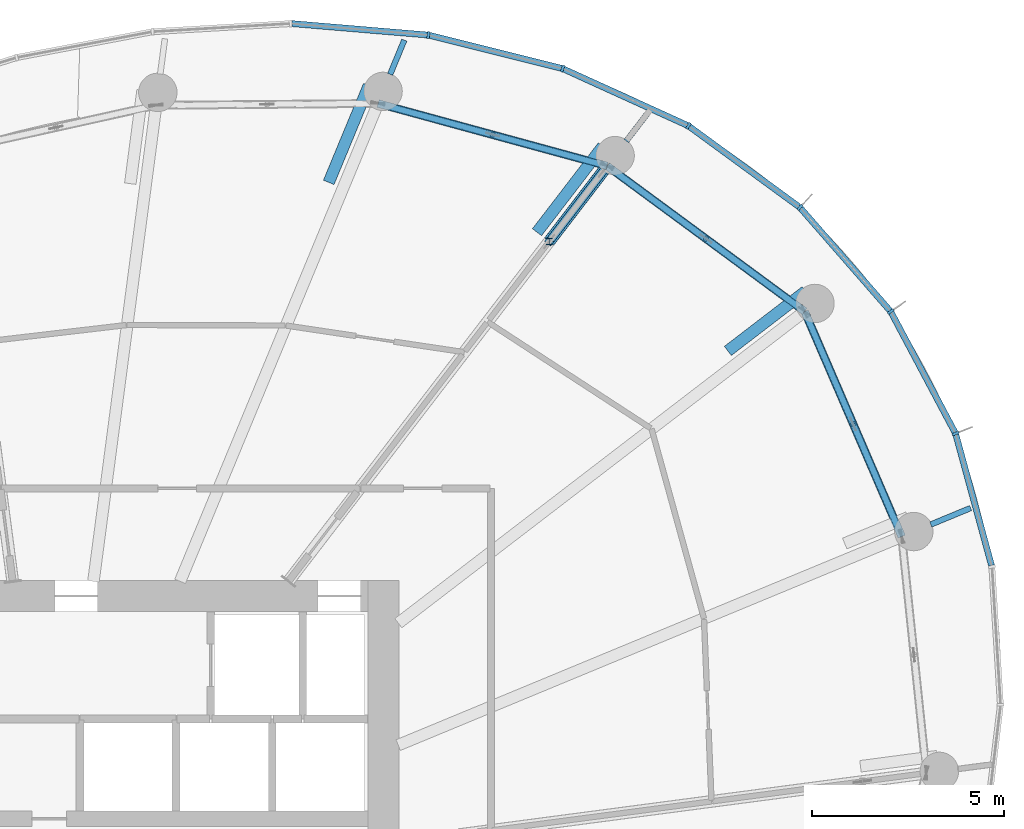
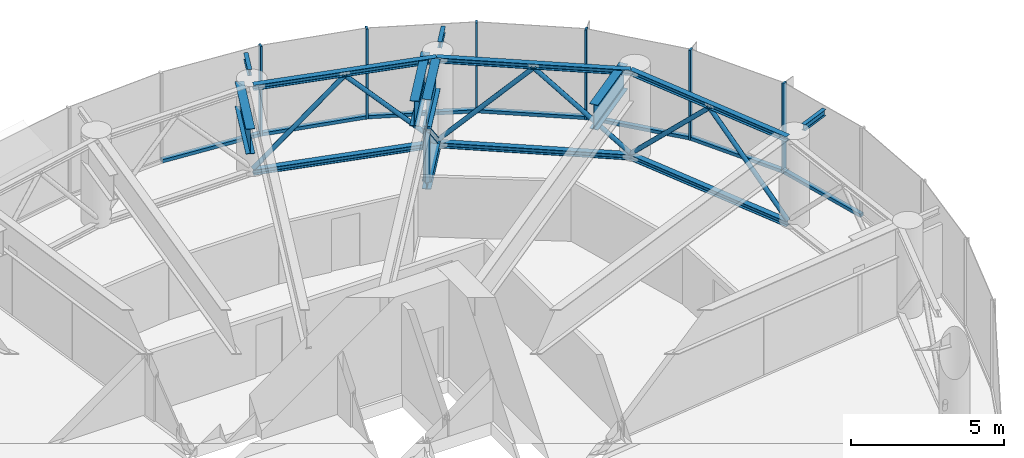
# One storey, part 10 of 25: 28 members, 7 beams, 2 elements without a shape of their own.
"""IFC4 building model written with IfcOpenShell, lengths in metres."""

from ifc_helpers import new_model, si_unit, direction, frame, origin, origin_2d, place, context, subcontext, project, spatial, rectangle, hollow_circle, i_section, extrude, source, transform, mapped, material, layer, layer_set, material_profile, profile_set, type_object, element, aggregate, save


model = new_model("IFC4")

# Units and contexts
model_context = context("Model", 3, precision=1e-05, world=origin(), true_north=direction((0.0, 1.0)))
body_context = subcontext(model_context, "Body", "Model", "MODEL_VIEW")
ifc_project = project(units=[si_unit("LENGTHUNIT", "METRE"), si_unit("AREAUNIT", "SQUARE_METRE"), si_unit("VOLUMEUNIT", "CUBIC_METRE"), si_unit("PLANEANGLEUNIT", "RADIAN"), si_unit("MASSUNIT", "GRAM", prefix="KILO")], contexts=[model_context])

# Site, building, storey
site_placement = place(None, origin())
site = spatial("IfcSite", under=ifc_project, at=site_placement, CompositionType="ELEMENT")
building_placement = place(site_placement, origin())
building = spatial("IfcBuilding", under=site, at=building_placement, Name="Spindrift Exchange Tower", CompositionType="ELEMENT")
storey_placement = place(building_placement, frame((0.0, 0.0, 179.89990234375)))
storey = spatial("IfcBuildingStorey", under=building, at=storey_placement, Name="L43", CompositionType="ELEMENT", Elevation=179.89990234375)

# Beams
ifc_material_1 = material(Name="Steel Grade 300", Category="steel")
ifc_material_profile_1 = material_profile(ifc_material_1, i_section(OverallWidth=0.14599609375, OverallDepth=0.251953125, WebThickness=0.006103515625, FlangeThickness=0.008544921875, FilletRadius=0.011962890625, at=origin_2d()), Name="250UB31.4")
ifc_profile_set_1 = profile_set([ifc_material_profile_1], Name="Steel Grade 300")
beam_type_1 = type_object("IfcBeamType", Name="Cantilever Beam 250UB31.4 Steel Grade 300", PredefinedType="BEAM", material=ifc_profile_set_1)
shared_shape_1 = source(origin(), body_context, "Body", "SweptSolid", [
    extrude(i_section(OverallWidth=0.14599609375, OverallDepth=0.251953125, WebThickness=0.006103515625, FlangeThickness=0.008544921875, FilletRadius=0.011962890625, at=origin_2d()), origin(), (0.0, 0.0, 1.0), 0.964111328125),
])
beam_1_placement = place(storey_placement, frame((60.770751953125, 69.17431640625, 3.4541015625), z_axis=(0.382672391391, 0.923884105755, 0.0), x_axis=(-0.923884105755, 0.382672391391, 0.0)))
element("IfcBeam", 1, at=beam_1_placement, inside=storey, type_object=beam_type_1, Name="L43 cantilever beam R05T", PredefinedType="BEAM", context=body_context, shape_type="MappedRepresentation", body=[
    mapped(shared_shape_1, transform((0.0, 0.0, 0.0), scale=1.0)),
])
shared_shape_2 = source(origin(), body_context, "Body", "SweptSolid", [
    extrude(i_section(OverallWidth=0.14599609375, OverallDepth=0.251953125, WebThickness=0.006103515625, FlangeThickness=0.008544921875, FilletRadius=0.011962890625, at=origin_2d()), origin(), (0.0, 0.0, 1.0), 1.1201171875),
])
beam_2_placement = place(storey_placement, frame((74.840087890625, 57.460693359375, 3.4541015625), z_axis=(0.923868073298, 0.382711096181, 0.0), x_axis=(-0.382711096181, 0.923868073298, 0.0)))
element("IfcBeam", 2, at=beam_2_placement, inside=storey, type_object=beam_type_1, Name="L43 cantilever beam R02T", PredefinedType="BEAM", context=body_context, shape_type="MappedRepresentation", body=[
    mapped(shared_shape_2, transform((0.0, 0.0, 0.0), scale=1.0)),
])
shared_shape_3 = source(origin(), body_context, "Body", "SweptSolid", [
    extrude(i_section(OverallWidth=0.14599609375, OverallDepth=0.251953125, WebThickness=0.006103515625, FlangeThickness=0.008544921875, FilletRadius=0.011962890625, at=origin_2d()), origin(), (0.0, 0.0, 1.0), 0.89990234375),
])
beam_3_placement = place(storey_placement, frame((66.9169921875, 67.440185546875, 3.4541015625), z_axis=(0.608818785139, 0.79330932609, 0.0), x_axis=(-0.79330932609, 0.608818785139, 0.0)))
element("IfcBeam", 3, at=beam_3_placement, inside=storey, type_object=beam_type_1, Name="L43 cantilever beam R04T", PredefinedType="BEAM", context=body_context, shape_type="MappedRepresentation", body=[
    mapped(shared_shape_3, transform((0.0, 0.0, 0.0), scale=1.0)),
])
ifc_material_profile_2 = material_profile(ifc_material_1, i_section(OverallWidth=0.300048828125, OverallDepth=1.199951171875, WebThickness=0.011962890625, FlangeThickness=0.028076171875, at=origin_2d()), Name="1200WB249")
ifc_profile_set_2 = profile_set([ifc_material_profile_2], Name="Steel Grade 300")
beam_type_2 = type_object("IfcBeamType", Name="Outrigger Truss Transfer Girder 1200WB249 Steel Grade 300", PredefinedType="BEAM", material=ifc_profile_set_2)
shared_shape_4 = source(origin(), body_context, "Body", "SweptSolid", [
    extrude(i_section(OverallWidth=0.300048828125, OverallDepth=1.199951171875, WebThickness=0.011962890625, FlangeThickness=0.028076171875, at=origin_2d()), origin(), (0.0, 0.0, 1.0), 2.339111328125),
])
beam_4_placement = place(storey_placement, frame((64.90869140625, 64.822998046875, 2.97998046875), z_axis=(0.608797399117, 0.793325738161, 0.0), x_axis=(-0.793325738161, 0.608797399117, 0.0)))
element("IfcBeam", 4, at=beam_4_placement, inside=storey, type_object=beam_type_2, Name="L43 outrigger truss 04 top chord 2", PredefinedType="BEAM", context=body_context, shape_type="MappedRepresentation", body=[
    mapped(shared_shape_4, transform((0.0, 0.0, 0.0), scale=1.0)),
])

# Members
ifc_material_profile_3 = material_profile(ifc_material_1, i_section(OverallWidth=0.306884765625, OverallDepth=0.31396484375, WebThickness=0.011962890625, FlangeThickness=0.018798828125, FilletRadius=0.0166015625, at=origin_2d()), Name="310UC118")
ifc_profile_set_3 = profile_set([ifc_material_profile_3], Name="Steel Grade 300")
member_type_1 = type_object("IfcMemberType", Name="Outrigger Truss Chord 310UC118 Steel Grade 300", PredefinedType="CHORD", material=ifc_profile_set_3)
shared_shape_5 = source(origin(), body_context, "Body", "SweptSolid", [
    extrude(i_section(OverallWidth=0.306884765625, OverallDepth=0.31396484375, WebThickness=0.011962890625, FlangeThickness=0.018798828125, FilletRadius=0.0166015625, at=origin_2d()), origin(), (0.0, 0.0, 1.0), 2.339111328125),
])
member_1_placement = place(storey_placement, frame((64.90869140625, 64.822998046875, 0.156982421875), z_axis=(0.608797399117, 0.793325738161, 0.0), x_axis=(-0.793325738161, 0.608797399117, 0.0)))
element("IfcMember", 5, at=member_1_placement, inside=storey, type_object=member_type_1, Name="L43 outrigger truss 04 bottom chord 2", PredefinedType="CHORD", context=body_context, shape_type="MappedRepresentation", body=[
    mapped(shared_shape_5, transform((0.0, 0.0, 0.0), scale=1.0)),
])
ifc_material_profile_4 = material_profile(ifc_material_1, i_section(OverallWidth=0.205078125, OverallDepth=0.2099609375, WebThickness=0.00927734375, FlangeThickness=0.01416015625, FilletRadius=0.012939453125, at=origin_2d()), Name="200UC59.5")
ifc_profile_set_4 = profile_set([ifc_material_profile_4], Name="Steel Grade 300")
member_type_2 = type_object("IfcMemberType", Name="Outrigger Truss Diagonal 200UC59.5 Steel Grade 300", PredefinedType="BRACE", material=ifc_profile_set_4)
shared_shape_6 = source(origin(), body_context, "Body", "SweptSolid", [
    extrude(i_section(OverallWidth=0.205078125, OverallDepth=0.2099609375, WebThickness=0.00927734375, FlangeThickness=0.01416015625, FilletRadius=0.012939453125, at=origin_2d()), origin(), (0.0, 0.0, 1.0), 3.120849609375),
])
member_2_placement = place(storey_placement, frame((64.90869140625, 64.822998046875, 2.380126953125), z_axis=(0.456309935525, 0.594618861637, -0.661974056989), x_axis=(-0.793325738161, 0.608797399117, 0.0)))
element("IfcMember", 6, at=member_2_placement, inside=storey, type_object=member_type_2, Name="L43 outrigger truss 04 diagonal 2", PredefinedType="BRACE", context=body_context, shape_type="MappedRepresentation", body=[
    mapped(shared_shape_6, transform((0.0, 0.0, 0.0), scale=1.0)),
])
ifc_material_profile_5 = material_profile(ifc_material_1, i_section(OverallWidth=0.154052734375, OverallDepth=0.162109375, WebThickness=0.008056640625, FlangeThickness=0.011474609375, FilletRadius=0.008056640625, at=origin_2d()), Name="150UC37.2")
ifc_profile_set_5 = profile_set([ifc_material_profile_5], Name="Steel Grade 300")
member_type_3 = type_object("IfcMemberType", Name="Outrigger Truss Post 150UC37.2 Steel Grade 300", PredefinedType="POST", material=ifc_profile_set_5)
shared_shape_7 = source(origin(), body_context, "Body", "SweptSolid", [
    extrude(i_section(OverallWidth=0.154052734375, OverallDepth=0.162109375, WebThickness=0.008056640625, FlangeThickness=0.011474609375, FilletRadius=0.008056640625, at=origin_2d()), origin(), (0.0, 0.0, 1.0), 2.06591796875),
])
member_3_placement = place(storey_placement, frame((64.90869140625, 64.822998046875, 0.314208984375), z_axis=(0.0, 0.0, 1.0), x_axis=(1.0, 0.0, 0.0)))
element("IfcMember", 7, at=member_3_placement, inside=storey, type_object=member_type_3, Name="L43 outrigger truss 04 post 1", PredefinedType="POST", context=body_context, shape_type="MappedRepresentation", body=[
    mapped(shared_shape_7, transform((0.0, 0.0, 0.0), scale=1.0)),
])
ifc_material_profile_6 = material_profile(ifc_material_1, i_section(OverallWidth=0.205078125, OverallDepth=0.2099609375, WebThickness=0.00927734375, FlangeThickness=0.01416015625, FilletRadius=0.012939453125, at=origin_2d()), Name="200UC59.5")
ifc_profile_set_6 = profile_set([ifc_material_profile_6], Name="Steel Grade 300")
member_type_4 = type_object("IfcMemberType", Name="Belt Truss Chord 200UC59.5 Steel Grade 300", PredefinedType="CHORD", material=ifc_profile_set_6)
shared_shape_8 = source(origin(), body_context, "Body", "SweptSolid", [
    extrude(i_section(OverallWidth=0.205078125, OverallDepth=0.2099609375, WebThickness=0.00927734375, FlangeThickness=0.01416015625, FilletRadius=0.012939453125, at=origin_2d()), origin(), (0.0, 0.0, 1.0), 6.38037109375),
])
for number, where, z_axis, x_axis, name in (
    (8, (74.08251953125, 57.14697265625, 3.47509765625), (-0.395959532566, 0.918267961202, 0.0), (-0.918267961202, -0.395959532566, 0.0), "L43 belt truss 02 top chord"),
    (9, (74.08251953125, 57.14697265625, 0.10498046875), (-0.395959532566, 0.918267961202, 0.0), (-0.918267961202, -0.395959532566, 0.0), "L43 belt truss 02 bottom chord"),
):
    element("IfcMember", number, at=place(storey_placement, frame(where, z_axis=z_axis, x_axis=x_axis)), inside=storey, type_object=member_type_4, Name=name, PredefinedType="CHORD", context=body_context, shape_type="MappedRepresentation", body=[
        mapped(shared_shape_8, transform((0.0, 0.0, 0.0), scale=1.0)),
    ])
ifc_material_2 = material(Name="Steel Grade 350", Category="steel")
ifc_material_profile_7 = material_profile(ifc_material_2, hollow_circle(Radius=0.084228515625, WallThickness=0.007080078125, at=origin_2d()), Name="168.3x7.1CHS")
ifc_profile_set_7 = profile_set([ifc_material_profile_7], Name="Steel Grade 350")
member_type_5 = type_object("IfcMemberType", Name="Belt Truss Diagonal 168.3x7.1CHS Steel Grade 350", PredefinedType="BRACE", material=ifc_profile_set_7)
shared_shape_9 = source(origin(), body_context, "Body", "SweptSolid", [
    extrude(hollow_circle(Radius=0.084228515625, WallThickness=0.007080078125, at=origin_2d()), origin(), (0.0, 0.0, 1.0), 4.490234375),
])
for number, where, z_axis, x_axis, name in (
    (10, (74.08251953125, 57.14697265625, 0.210205078125), (-0.281317190071, 0.652401423205, 0.703727945708), (-0.918267961202, -0.395959532566, 0.0), "L43 belt truss 02 diagonal 1"),
    (11, (72.8193359375, 60.076416015625, 3.3701171875), (-0.281317190071, 0.652401423205, -0.703727945708), (-0.918267961202, -0.395959532566, 0.0), "L43 belt truss 02 diagonal 2"),
):
    element("IfcMember", number, at=place(storey_placement, frame(where, z_axis=z_axis, x_axis=x_axis)), inside=storey, type_object=member_type_5, Name=name, PredefinedType="BRACE", context=body_context, shape_type="MappedRepresentation", body=[
        mapped(shared_shape_9, transform((0.0, 0.0, 0.0), scale=1.0)),
    ])
shared_shape_10 = source(origin(), body_context, "Body", "SweptSolid", [
    extrude(i_section(OverallWidth=0.205078125, OverallDepth=0.2099609375, WebThickness=0.00927734375, FlangeThickness=0.01416015625, FilletRadius=0.012939453125, at=origin_2d()), origin(), (0.0, 0.0, 1.0), 6.381103515625),
])
for number, where, z_axis, x_axis, name in (
    (12, (71.55615234375, 63.005859375, 3.47509765625), (-0.805212557034, 0.592986288201, 0.0), (-0.592986288201, -0.805212557034, 0.0), "L43 belt truss 03 top chord"),
    (13, (71.55615234375, 63.005859375, 0.10498046875), (-0.805212557034, 0.592986288201, 0.0), (-0.592986288201, -0.805212557034, 0.0), "L43 belt truss 03 bottom chord"),
):
    element("IfcMember", number, at=place(storey_placement, frame(where, z_axis=z_axis, x_axis=x_axis)), inside=storey, type_object=member_type_4, Name=name, PredefinedType="CHORD", context=body_context, shape_type="MappedRepresentation", body=[
        mapped(shared_shape_10, transform((0.0, 0.0, 0.0), scale=1.0)),
    ])
shared_shape_11 = source(origin(), body_context, "Body", "SweptSolid", [
    extrude(hollow_circle(Radius=0.084228515625, WallThickness=0.007080078125, at=origin_2d()), origin(), (0.0, 0.0, 1.0), 4.490478515625),
])
for number, where, z_axis, x_axis, name in (
    (14, (71.55615234375, 63.005859375, 0.210205078125), (-0.572120394731, 0.421301999313, 0.703692318636), (-0.592961481053, -0.805230825284, 0.0), "L43 belt truss 03 diagonal 1"),
    (15, (68.987060546875, 64.897705078125, 3.3701171875), (-0.572107289584, 0.421346716172, -0.703676199666), (-0.59301109366, -0.80519428885, 0.0), "L43 belt truss 03 diagonal 2"),
):
    element("IfcMember", number, at=place(storey_placement, frame(where, z_axis=z_axis, x_axis=x_axis)), inside=storey, type_object=member_type_5, Name=name, PredefinedType="BRACE", context=body_context, shape_type="MappedRepresentation", body=[
        mapped(shared_shape_11, transform((0.0, 0.0, 0.0), scale=1.0)),
    ])
shared_shape_12 = source(origin(), body_context, "Body", "SweptSolid", [
    extrude(i_section(OverallWidth=0.205078125, OverallDepth=0.2099609375, WebThickness=0.00927734375, FlangeThickness=0.01416015625, FilletRadius=0.012939453125, at=origin_2d()), origin(), (0.0, 0.0, 1.0), 6.17919921875),
])
for number, where, z_axis, x_axis, name in (
    (16, (66.41796875, 66.789794921875, 3.47509765625), (-0.964715481207, 0.263294588474, 0.0), (-0.263294588474, -0.964715481207, 0.0), "L43 belt truss 04 top chord"),
    (17, (66.41796875, 66.789794921875, 0.10498046875), (-0.964715481207, 0.263294588474, 0.0), (-0.263294588474, -0.964715481207, 0.0), "L43 belt truss 04 bottom chord"),
):
    element("IfcMember", number, at=place(storey_placement, frame(where, z_axis=z_axis, x_axis=x_axis)), inside=storey, type_object=member_type_4, Name=name, PredefinedType="CHORD", context=body_context, shape_type="MappedRepresentation", body=[
        mapped(shared_shape_12, transform((0.0, 0.0, 0.0), scale=1.0)),
    ])
shared_shape_13 = source(origin(), body_context, "Body", "SweptSolid", [
    extrude(hollow_circle(Radius=0.084228515625, WallThickness=0.007080078125, at=origin_2d()), origin(), (0.0, 0.0, 1.0), 4.419189453125),
])
member_4_placement = place(storey_placement, frame((66.41796875, 66.789794921875, 0.210205078125), z_axis=(-0.67442497447, 0.184074706335, 0.715029689103), x_axis=(-0.263304624553, -0.964712742058, 0.0)))
element("IfcMember", 18, at=member_4_placement, inside=storey, type_object=member_type_5, Name="L43 belt truss 04 diagonal 1", PredefinedType="BRACE", context=body_context, shape_type="MappedRepresentation", body=[
    mapped(shared_shape_13, transform((0.0, 0.0, 0.0), scale=1.0)),
])
shared_shape_14 = source(origin(), body_context, "Body", "SweptSolid", [
    extrude(hollow_circle(Radius=0.084228515625, WallThickness=0.007080078125, at=origin_2d()), origin(), (0.0, 0.0, 1.0), 4.41943359375),
])
member_5_placement = place(storey_placement, frame((63.4375, 67.603271484375, 3.3701171875), z_axis=(-0.674455089384, 0.184067848131, -0.715003048726), x_axis=(-0.263284553131, -0.964718220043, 0.0)))
element("IfcMember", 19, at=member_5_placement, inside=storey, type_object=member_type_5, Name="L43 belt truss 04 diagonal 2", PredefinedType="BRACE", context=body_context, shape_type="MappedRepresentation", body=[
    mapped(shared_shape_14, transform((0.0, 0.0, 0.0), scale=1.0)),
])

# Beams
ifc_material_profile_8 = material_profile(ifc_material_1, i_section(OverallWidth=0.300048828125, OverallDepth=1.0, WebThickness=0.010009765625, FlangeThickness=0.02001953125, at=origin_2d()), Name="1000WB215")
ifc_profile_set_8 = profile_set([ifc_material_profile_8], Name="Steel Grade 300")
beam_type_3 = type_object("IfcBeamType", Name="Transfer Tie Beam 1000WB215 Steel Grade 300", PredefinedType="BEAM", material=ifc_profile_set_8)
shared_shape_15 = source(origin(), body_context, "Body", "SweptSolid", [
    extrude(i_section(OverallWidth=0.300048828125, OverallDepth=1.0, WebThickness=0.010009765625, FlangeThickness=0.02001953125, at=origin_2d()), origin(), (0.0, 0.0, 1.0), 2.551025390625),
])
beam_5_placement = place(storey_placement, frame((71.58251953125, 63.5302734375, 2.97998046875), z_axis=(-0.793359844795, -0.60875295208, 0.0), x_axis=(0.60875295208, -0.793359844795, 0.0)))
element("IfcBeam", 20, at=beam_5_placement, inside=storey, type_object=beam_type_3, Name="L43 transfer tie beam K03", PredefinedType="BEAM", context=body_context, shape_type="MappedRepresentation", body=[
    mapped(shared_shape_15, transform((0.0, 0.0, 0.0), scale=1.0)),
])
shared_shape_16 = source(origin(), body_context, "Body", "SweptSolid", [
    extrude(i_section(OverallWidth=0.300048828125, OverallDepth=1.0, WebThickness=0.010009765625, FlangeThickness=0.02001953125, at=origin_2d()), origin(), (0.0, 0.0, 1.0), 2.81884765625),
])
beam_6_placement = place(storey_placement, frame((66.3076171875, 67.302978515625, 2.97998046875), z_axis=(-0.60877695358, -0.793341427627, 0.0), x_axis=(0.793341427627, -0.60877695358, 0.0)))
element("IfcBeam", 21, at=beam_6_placement, inside=storey, type_object=beam_type_3, Name="L43 transfer tie beam K04", PredefinedType="BEAM", context=body_context, shape_type="MappedRepresentation", body=[
    mapped(shared_shape_16, transform((0.0, 0.0, 0.0), scale=1.0)),
])
shared_shape_17 = source(origin(), body_context, "Body", "SweptSolid", [
    extrude(i_section(OverallWidth=0.300048828125, OverallDepth=1.0, WebThickness=0.010009765625, FlangeThickness=0.02001953125, at=origin_2d()), origin(), (0.0, 0.0, 1.0), 2.72900390625),
])
beam_7_placement = place(storey_placement, frame((60.21728515625, 68.884033203125, 2.97998046875), z_axis=(-0.38263887752, -0.923897986474, 0.0), x_axis=(0.923897986474, -0.38263887752, 0.0)))
element("IfcBeam", 22, at=beam_7_placement, inside=storey, type_object=beam_type_3, Name="L43 transfer tie beam K05", PredefinedType="BEAM", context=body_context, shape_type="MappedRepresentation", body=[
    mapped(shared_shape_17, transform((0.0, 0.0, 0.0), scale=1.0)),
])

# Curtain wall, member
ifc_material_3 = material(Name="Fritted laminated glass with bronze frame", Category="glass")
ifc_layer = layer(ifc_material_3, 0.179931640625)
ifc_layer_set = layer_set([ifc_layer], Name="ZONE 3 BRONZE FRITTED WALL")
curtain_wall_type = type_object("IfcCurtainWallType", Name="ZONE 3 BRONZE FRITTED WALL", PredefinedType="NOTDEFINED", material=ifc_layer_set)
curtain_wall_1_placement = place(storey_placement, origin())
curtain_wall_1 = element("IfcCurtainWall", 23, at=curtain_wall_1_placement, inside=storey, type_object=curtain_wall_type, Name="L43 Zone 3 Bronze Fritted Wall run 1", PredefinedType="NOTDEFINED")
ifc_material_4 = material(Name="Bronze anodised aluminium", Category="aluminium")
ifc_material_profile_9 = material_profile(ifc_material_4, rectangle(XDim=0.159912109375, YDim=0.1298828125, at=origin_2d()), Name="ZONE 3 BRONZE FRITTED WALL TRANSOM 160X130")
ifc_profile_set_9 = profile_set([ifc_material_profile_9], Name="Bronze anodised aluminium")
member_type_6 = type_object("IfcMemberType", Name="ZONE 3 BRONZE FRITTED WALL TRANSOM 160X130", PredefinedType="USERDEFINED", material=ifc_profile_set_9)
shared_shape_18 = source(origin(), body_context, "Body", "SweptSolid", [
    extrude(rectangle(XDim=0.159912109375, YDim=0.1298828125, at=origin_2d()), origin(), (0.0, 0.0, 1.0), 3.529296875),
])
member_6_placement = place(storey_placement, frame((61.73291015625, 70.19970703125, 0.065185546875), z_axis=(-0.9964849041, 0.083772524739, 0.0), x_axis=(-0.083772524739, -0.9964849041, 0.0)))
member_6 = element("IfcMember", 24, at=member_6_placement, type_object=member_type_6, Name="L43 transom CW-3.5", ObjectType="TRANSOM", PredefinedType="USERDEFINED", context=body_context, shape_type="MappedRepresentation", body=[
    mapped(shared_shape_18, transform((0.0, 0.0, 0.0), scale=1.0)),
])

curtain_wall_2_placement = place(storey_placement, origin())
curtain_wall_2 = element("IfcCurtainWall", 25, at=curtain_wall_2_placement, inside=storey, type_object=curtain_wall_type, Name="L43 Zone 3 Bronze Fritted Wall run 7", PredefinedType="NOTDEFINED")
shared_shape_19 = source(origin(), body_context, "Body", "SweptSolid", [
    extrude(rectangle(XDim=0.159912109375, YDim=0.1298828125, at=origin_2d()), origin(), (0.0, 0.0, 1.0), 3.52490234375),
])
member_7_placement = place(storey_placement, frame((75.4677734375, 59.859130859375, 0.065185546875), z_axis=(-0.469239623467, 0.883070878111, 0.0), x_axis=(-0.883070878111, -0.469239623467, 0.0)))
member_7 = element("IfcMember", 26, at=member_7_placement, type_object=member_type_6, Name="L43 transom CW-3.41", ObjectType="TRANSOM", PredefinedType="USERDEFINED", context=body_context, shape_type="MappedRepresentation", body=[
    mapped(shared_shape_19, transform((0.0, 0.0, 0.0), scale=1.0)),
])

# Member
ifc_material_profile_10 = material_profile(ifc_material_4, rectangle(XDim=0.070068359375, YDim=0.179931640625, at=origin_2d()), Name="ZONE 3 BRONZE FRITTED WALL MULLION 70X180")
ifc_profile_set_10 = profile_set([ifc_material_profile_10], Name="Bronze anodised aluminium")
member_type_7 = type_object("IfcMemberType", Name="ZONE 3 BRONZE FRITTED WALL MULLION 70X180", PredefinedType="MULLION", material=ifc_profile_set_10)
shared_shape_20 = source(origin(), body_context, "Body", "SweptSolid", [
    extrude(rectangle(XDim=0.070068359375, YDim=0.179931640625, at=origin_2d()), origin(), (0.0, 0.0, 1.0), 3.580078125),
])
member_8_placement = place(storey_placement, frame((73.79736328125, 63.002685546875, 0.0), z_axis=(0.0, 0.0, 1.0), x_axis=(-0.566967134159, 0.82374041347, 0.0)))
member_8 = element("IfcMember", 27, at=member_8_placement, type_object=member_type_7, Name="L43 mullion CW-3.1", PredefinedType="MULLION", context=body_context, shape_type="MappedRepresentation", body=[
    mapped(shared_shape_20, transform((0.0, 0.0, 0.0), scale=1.0)),
])

member_9_placement = place(storey_placement, frame((71.4345703125, 65.7119140625, 0.0), z_axis=(0.0, 0.0, 1.0), x_axis=(-0.736748579212, 0.676166792315, 0.0)))
member_9 = element("IfcMember", 28, at=member_9_placement, type_object=member_type_7, Name="L43 mullion CW-3.2", PredefinedType="MULLION", context=body_context, shape_type="MappedRepresentation", body=[
    mapped(shared_shape_20, transform((0.0, 0.0, 0.0), scale=1.0)),
])

member_10_placement = place(storey_placement, frame((68.532470703125, 67.834716796875, 0.0), z_axis=(0.0, 0.0, 1.0), x_axis=(-0.863144453538, 0.504957079687, 0.0)))
member_10 = element("IfcMember", 29, at=member_10_placement, type_object=member_type_7, Name="L43 mullion CW-3.3", PredefinedType="MULLION", context=body_context, shape_type="MappedRepresentation", body=[
    mapped(shared_shape_20, transform((0.0, 0.0, 0.0), scale=1.0)),
])

member_11_placement = place(storey_placement, frame((65.2587890625, 69.32470703125, 0.0), z_axis=(0.0, 0.0, 1.0), x_axis=(-0.944092221385, 0.329681478885, 0.0)))
member_11 = element("IfcMember", 30, at=member_11_placement, type_object=member_type_7, Name="L43 mullion CW-3.4", PredefinedType="MULLION", context=body_context, shape_type="MappedRepresentation", body=[
    mapped(shared_shape_20, transform((0.0, 0.0, 0.0), scale=1.0)),
])

member_12_placement = place(storey_placement, frame((61.767822265625, 70.19677734375, 0.0), z_axis=(0.0, 0.0, 1.0), x_axis=(-0.986528958791, 0.163586715433, 0.0)))
member_12 = element("IfcMember", 31, at=member_12_placement, type_object=member_type_7, Name="L43 mullion CW-3.5", PredefinedType="MULLION", context=body_context, shape_type="MappedRepresentation", body=[
    mapped(shared_shape_20, transform((0.0, 0.0, 0.0), scale=1.0)),
])

member_13_placement = place(storey_placement, frame((75.484130859375, 59.828369140625, 0.0), z_axis=(0.0, 0.0, 1.0), x_axis=(-0.36848783141, 0.929632571559, 0.0)))
member_13 = element("IfcMember", 32, at=member_13_placement, type_object=member_type_7, Name="L43 mullion CW-3.41", PredefinedType="MULLION", context=body_context, shape_type="MappedRepresentation", body=[
    mapped(shared_shape_20, transform((0.0, 0.0, 0.0), scale=1.0)),
])

shared_shape_21 = source(origin(), body_context, "Body", "SweptSolid", [
    extrude(rectangle(XDim=0.159912109375, YDim=0.1298828125, at=origin_2d()), origin(), (0.0, 0.0, 1.0), 3.524658203125),
])
member_14_placement = place(storey_placement, frame((73.7744140625, 63.029296875, 0.065185546875), z_axis=(-0.657361219639, 0.753575627867, 0.0), x_axis=(-0.753575627867, -0.657361219639, 0.0)))
member_14 = element("IfcMember", 33, at=member_14_placement, type_object=member_type_6, Name="L43 transom CW-3.1", ObjectType="TRANSOM", PredefinedType="USERDEFINED", context=body_context, shape_type="MappedRepresentation", body=[
    mapped(shared_shape_21, transform((0.0, 0.0, 0.0), scale=1.0)),
])

shared_shape_22 = source(origin(), body_context, "Body", "SweptSolid", [
    extrude(rectangle(XDim=0.159912109375, YDim=0.1298828125, at=origin_2d()), origin(), (0.0, 0.0, 1.0), 3.5283203125),
])
member_15_placement = place(storey_placement, frame((65.224853515625, 69.333251953125, 0.065185546875), z_axis=(-0.970195391551, 0.242323961287, 0.0), x_axis=(-0.242323961287, -0.970195391551, 0.0)))
member_15 = element("IfcMember", 34, at=member_15_placement, type_object=member_type_6, Name="L43 transom CW-3.4", ObjectType="TRANSOM", PredefinedType="USERDEFINED", context=body_context, shape_type="MappedRepresentation", body=[
    mapped(shared_shape_22, transform((0.0, 0.0, 0.0), scale=1.0)),
])

shared_shape_23 = source(origin(), body_context, "Body", "SweptSolid", [
    extrude(rectangle(XDim=0.159912109375, YDim=0.1298828125, at=origin_2d()), origin(), (0.0, 0.0, 1.0), 3.52685546875),
])
member_16_placement = place(storey_placement, frame((68.50048828125, 67.84912109375, 0.065185546875), z_axis=(-0.910141131531, 0.414298347445, 0.0), x_axis=(-0.414298347445, -0.910141131531, 0.0)))
member_16 = element("IfcMember", 35, at=member_16_placement, type_object=member_type_6, Name="L43 transom CW-3.3", ObjectType="TRANSOM", PredefinedType="USERDEFINED", context=body_context, shape_type="MappedRepresentation", body=[
    mapped(shared_shape_23, transform((0.0, 0.0, 0.0), scale=1.0)),
])

shared_shape_24 = source(origin(), body_context, "Body", "SweptSolid", [
    extrude(rectangle(XDim=0.159912109375, YDim=0.1298828125, at=origin_2d()), origin(), (0.0, 0.0, 1.0), 3.525634765625),
])
member_17_placement = place(storey_placement, frame((71.40625, 65.732421875, 0.065185546875), z_axis=(-0.807122070503, 0.59038458932, 0.0), x_axis=(-0.59038458932, -0.807122070503, 0.0)))
member_17 = element("IfcMember", 36, at=member_17_placement, type_object=member_type_6, Name="L43 transom CW-3.2", ObjectType="TRANSOM", PredefinedType="USERDEFINED", context=body_context, shape_type="MappedRepresentation", body=[
    mapped(shared_shape_24, transform((0.0, 0.0, 0.0), scale=1.0)),
])

aggregate(curtain_wall_1, [member_8, member_14, member_9, member_17, member_10, member_16, member_11, member_15, member_12, member_6])

member_18_placement = place(storey_placement, frame((76.42138671875, 56.39306640625, 0.065185546875), z_axis=(-0.263205294271, 0.964739847351, 0.0), x_axis=(-0.964739847351, -0.263205294271, 0.0)))
member_18 = element("IfcMember", 37, at=member_18_placement, type_object=member_type_6, Name="L43 transom CW-3.40", ObjectType="TRANSOM", PredefinedType="USERDEFINED", context=body_context, shape_type="MappedRepresentation", body=[
    mapped(shared_shape_24, transform((0.0, 0.0, 0.0), scale=1.0)),
])

aggregate(curtain_wall_2, [member_18, member_13, member_7])

save(model, "model.ifc")
